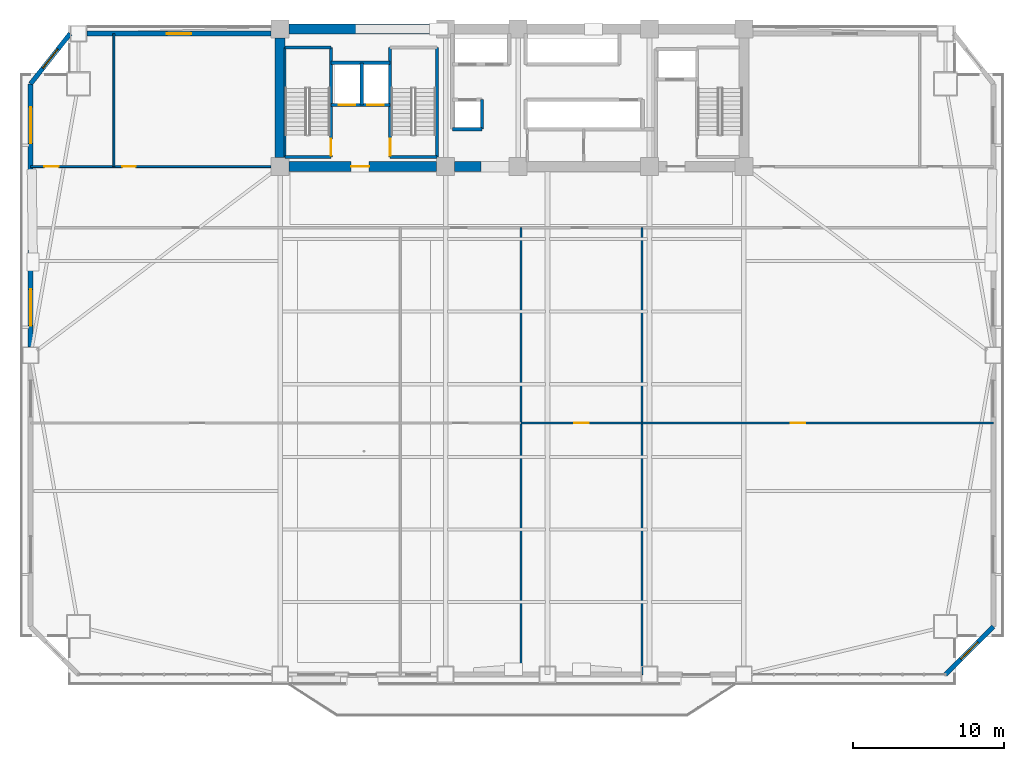
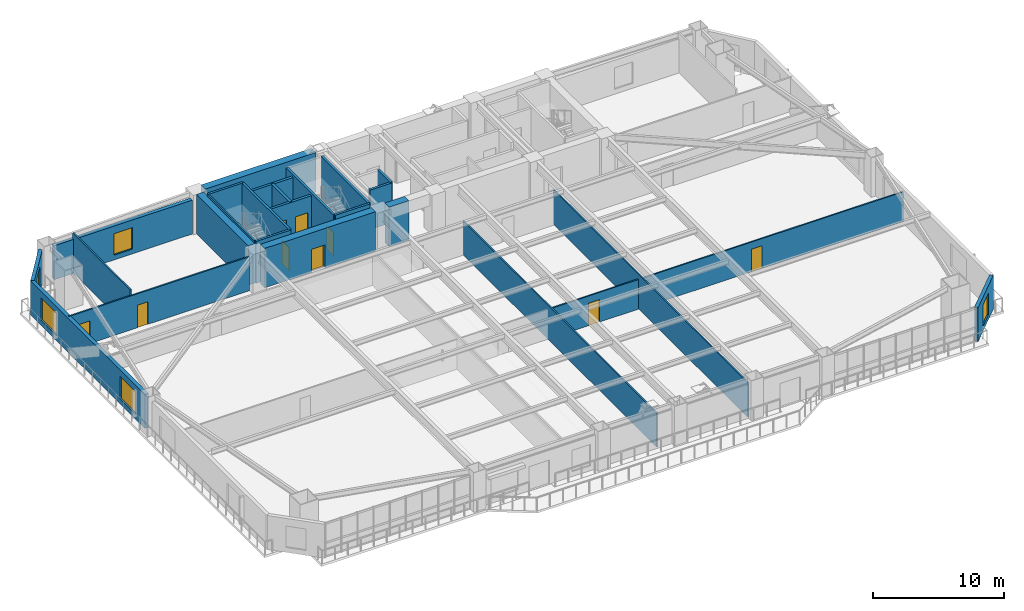
# One storey, part 9 of 17: 26 walls, 9 doors, 5 windows, 14 openings.
"""IFC4 building model written with IfcOpenShell, lengths in metres."""

import ifcopenshell
import ifcopenshell.guid

model = None  # the IFC model being written
_history = None  # IfcOwnerHistory: only IFC2X3 demands one
_inside = {}  # id of a spatial element -> (the spatial element, [elements in it])
_under = {}  # id of a project, library or spatial element -> (it, [spatial elements below it])
_declared = {}  # id of a project -> (the project, [libraries it declares])
_typed = {}  # id of a type object -> (the type object, [elements of that type])
_made_of = {}  # id of a material, layer set ... -> (it, [elements and type objects made of it])


def new_model(schema):
    """Start an empty IFC model of exactly this schema.

    Asked for "IFC4X3", IfcOpenShell would pick the latest addendum, in which some entities
    have other attributes; the version numbers below select the first issue.
    IFC2X3 requires an IfcOwnerHistory on every rooted entity: one is made here for all.
    """
    global model, _history
    if schema == "IFC4X3":
        model = ifcopenshell.file(schema_version=(4, 3, 0, 0))
    else:
        model = ifcopenshell.file(schema=schema)
    _inside.clear()
    _under.clear()
    _declared.clear()
    _typed.clear()
    _made_of.clear()
    _history = None
    if model.schema == "IFC2X3":
        org = make("IfcOrganization", Name="unknown")
        user = make(
            "IfcPersonAndOrganization",
            ThePerson=make("IfcPerson", FamilyName="unknown"),
            TheOrganization=org,
        )
        app = make(
            "IfcApplication",
            ApplicationDeveloper=org,
            Version="unknown",
            ApplicationFullName="unknown",
            ApplicationIdentifier="unknown",
        )
        _history = make(
            "IfcOwnerHistory",
            OwningUser=user,
            OwningApplication=app,
            ChangeAction="ADDED",
            CreationDate=0,
        )
    return model


def make(cls, **values):
    """One entity of the class cls with the attributes given. An attribute that is None is left unset."""
    return model.create_entity(
        cls, **{name: value for name, value in values.items() if value is not None}
    )


def rooted(cls, **values):
    """An entity with a GlobalId (a new one), such as an element, a storey or a relation."""
    return make(cls, GlobalId=ifcopenshell.guid.new(), OwnerHistory=_history, **values)


def si_unit(unit_type, name, prefix=None):
    """IfcSIUnit, for example si_unit("LENGTHUNIT", "METRE", prefix="MILLI")."""
    return make("IfcSIUnit", UnitType=unit_type, Prefix=prefix, Name=name)


def assignment(units):
    """IfcUnitAssignment: the units of a project."""
    return None if units is None else make("IfcUnitAssignment", Units=units)


def point(xyz):
    """IfcCartesianPoint."""
    return None if xyz is None else make("IfcCartesianPoint", Coordinates=xyz)


def direction(xyz):
    """IfcDirection."""
    return None if xyz is None else make("IfcDirection", DirectionRatios=xyz)


def frame(location, z_axis=None, x_axis=None):
    """IfcAxis2Placement3D, a coordinate frame: its origin and axes. An axis left out is left unset."""
    return make(
        "IfcAxis2Placement3D",
        Location=point(location),
        Axis=direction(z_axis),
        RefDirection=direction(x_axis),
    )


def frame_2d(location, x_axis=None):
    """IfcAxis2Placement2D, a coordinate frame in the plane: its origin and x axis."""
    return make(
        "IfcAxis2Placement2D", Location=point(location), RefDirection=direction(x_axis)
    )


def origin():
    """The frame at (0, 0, 0) with its axes left unset."""
    return frame((0.0, 0.0, 0.0))


def place(relative_to, where):
    """IfcLocalPlacement: puts the frame where relative to a parent placement (None: the world)."""
    return make(
        "IfcLocalPlacement", PlacementRelTo=relative_to, RelativePlacement=where
    )


def context(
    kind, dimensions, precision=None, world=None, true_north=None, identifier=None
):
    """IfcGeometricRepresentationContext, for example the 3D "Model" context."""
    return make(
        "IfcGeometricRepresentationContext",
        ContextIdentifier=identifier,
        ContextType=kind,
        CoordinateSpaceDimension=dimensions,
        Precision=precision,
        WorldCoordinateSystem=world,
        TrueNorth=true_north,
    )


def subcontext(parent, identifier, kind, view, scale=None):
    """IfcGeometricRepresentationSubContext, for example "Body" below "Model"."""
    return make(
        "IfcGeometricRepresentationSubContext",
        ContextIdentifier=identifier,
        ContextType=kind,
        ParentContext=parent,
        TargetScale=scale,
        TargetView=view,
    )


def project(units=None, contexts=None):
    """IfcProject with its units and contexts."""
    return rooted(
        "IfcProject",
        Name="project",
        RepresentationContexts=contexts,
        UnitsInContext=assignment(units),
    )


def spatial(cls, under=None, at=None, **own):
    """A site, building, storey or space (cls), placed at a placement, below another one or the project."""
    s = rooted(cls, ObjectPlacement=at, **own)
    if under is not None:
        _under.setdefault(under.id(), (under, []))[1].append(s)
    return s


def profile(cls, at=None, kind="AREA", **sizes):
    """A parametric profile (cls). Its sizes go by their IFC names, for example OverallWidth=200.0."""
    return make(cls, ProfileType=kind, Position=at, **sizes)


def rectangle(**sizes):
    """IfcRectangleProfileDef."""
    return profile("IfcRectangleProfileDef", **sizes)


def extrude(swept, where, along, depth):
    """IfcExtrudedAreaSolid: the profile swept, set in the frame where, extruded along a direction by depth."""
    return make(
        "IfcExtrudedAreaSolid",
        SweptArea=swept,
        Position=where,
        ExtrudedDirection=direction(along),
        Depth=depth,
    )


def shape(context_of_items, identifier, shape_type, items):
    """IfcShapeRepresentation: the items that make up one representation, for example the "Body"."""
    return make(
        "IfcShapeRepresentation",
        ContextOfItems=context_of_items,
        RepresentationIdentifier=identifier,
        RepresentationType=shape_type,
        Items=items,
    )


def source(mapping_origin, context_of_items, identifier, shape_type, items):
    """IfcRepresentationMap: a shape defined once, which mapped items show again and again."""
    return make(
        "IfcRepresentationMap",
        MappingOrigin=mapping_origin,
        MappedRepresentation=shape(context_of_items, identifier, shape_type, items),
    )


def transform(
    local_origin,
    x_axis=None,
    y_axis=None,
    z_axis=None,
    scale=None,
    scale2=None,
    scale3=None,
    uniform=True,
):
    """IfcCartesianTransformationOperator3D, or its non-uniform kind. x_axis, y_axis, z_axis: its Axis1, 2, 3."""
    if uniform:
        return make(
            "IfcCartesianTransformationOperator3D",
            Axis1=direction(x_axis),
            Axis2=direction(y_axis),
            LocalOrigin=point(local_origin),
            Scale=scale,
            Axis3=direction(z_axis),
        )
    return make(
        "IfcCartesianTransformationOperator3DnonUniform",
        Axis1=direction(x_axis),
        Axis2=direction(y_axis),
        LocalOrigin=point(local_origin),
        Scale=scale,
        Axis3=direction(z_axis),
        Scale2=scale2,
        Scale3=scale3,
    )


def mapped(mapping_source, mapping_target):
    """IfcMappedItem: shows the shape of a source again, moved by a transform."""
    return make(
        "IfcMappedItem", MappingSource=mapping_source, MappingTarget=mapping_target
    )


def material(Name=None, Category=None):
    """IfcMaterial."""
    return make("IfcMaterial", Name=Name, Category=Category)


def layer(
    of_material, thickness, ventilated=None, Name=None, Category=None, Priority=None
):
    """IfcMaterialLayer: one layer of a wall or slab, of a material (None: an air gap)."""
    return make(
        "IfcMaterialLayer",
        Material=of_material,
        LayerThickness=thickness,
        IsVentilated=ventilated,
        Name=Name,
        Category=Category,
        Priority=Priority,
    )


def layer_set(layers, Name=None):
    """IfcMaterialLayerSet."""
    return make("IfcMaterialLayerSet", MaterialLayers=layers, LayerSetName=Name)


def made_of(thing, what):
    """Note that an element or type object is made of a material, layer set ...; save() writes the relation."""
    if what is not None:
        _made_of.setdefault(what.id(), (what, []))[1].append(thing)
    return thing


def type_object(cls, material=None, **own):
    """A type object (cls), such as IfcWallType, which elements share."""
    return made_of(rooted(cls, **own), material)


def element(
    cls,
    number,
    at=None,
    inside=None,
    cuts=None,
    type_object=None,
    material=None,
    context=None,
    identifier="Body",
    shape_type=None,
    held_by="IfcProductDefinitionShape",
    body=None,
    shapes=None,
    **own,
):
    """One element of the class cls, such as IfcWall. Its Tag is "e" and its number.

    at: its placement. inside: the storey or other place that contains it. cuts: it is an
    opening in that element (IfcRelVoidsElement). A single representation is given by context,
    identifier, shape_type and body (its items); several are given by shapes. held_by: the class
    of the entity that holds the representations. save() writes the other relations.
    """
    e = rooted(cls, Tag="e%d" % number, ObjectPlacement=at, **own)
    if body is not None:
        shapes = [shape(context, identifier, shape_type, body)]
    if shapes is not None:
        e.Representation = make(held_by, Representations=shapes)
    if inside is not None:
        _inside.setdefault(inside.id(), (inside, []))[1].append(e)
    if cuts is not None:
        rooted(
            "IfcRelVoidsElement", RelatingBuildingElement=cuts, RelatedOpeningElement=e
        )
    if type_object is not None:
        _typed.setdefault(type_object.id(), (type_object, []))[1].append(e)
    return made_of(e, material)


def fill(opening, filler):
    """IfcRelFillsElement: the door or window that sits in an opening."""
    return rooted(
        "IfcRelFillsElement",
        RelatingOpeningElement=opening,
        RelatedBuildingElement=filler,
    )


def aggregate(whole, parts):
    """IfcRelAggregates: a whole, such as a stair, and the parts it consists of."""
    return rooted("IfcRelAggregates", RelatingObject=whole, RelatedObjects=parts)


def save(model, path):
    """Write the relations noted so far, then the file.

    IfcRelAggregates (storeys below a building ...), IfcRelContainedInSpatialStructure (elements
    in a storey), IfcRelDefinesByType, IfcRelAssociatesMaterial and IfcRelDeclares: one each for
    every whole, place, type object, material and project.
    """
    for whole, parts in _under.values():
        aggregate(whole, parts)
    for where, things in _inside.values():
        rooted(
            "IfcRelContainedInSpatialStructure",
            RelatedElements=things,
            RelatingStructure=where,
        )
    for kind, things in _typed.values():
        rooted("IfcRelDefinesByType", RelatedObjects=things, RelatingType=kind)
    for what, things in _made_of.values():
        rooted("IfcRelAssociatesMaterial", RelatedObjects=things, RelatingMaterial=what)
    for by, libraries in _declared.values():
        rooted("IfcRelDeclares", RelatingContext=by, RelatedDefinitions=libraries)
    model.write(path)


model = new_model("IFC4")

# Units and contexts
model_context = context("Model", 3, precision=1e-05, world=origin(), true_north=direction((0.0, 1.0)))
body_context = subcontext(model_context, "Body", "Model", "MODEL_VIEW")
ifc_project = project(units=[si_unit("LENGTHUNIT", "METRE"), si_unit("AREAUNIT", "SQUARE_METRE"), si_unit("VOLUMEUNIT", "CUBIC_METRE"), si_unit("PLANEANGLEUNIT", "RADIAN"), si_unit("MASSUNIT", "GRAM", prefix="KILO")], contexts=[model_context])

# Site, building, storey
site_placement = place(None, origin())
site = spatial("IfcSite", under=ifc_project, at=site_placement, CompositionType="ELEMENT")
building_placement = place(site_placement, origin())
building = spatial("IfcBuilding", under=site, at=building_placement, Name="Giltprow Tower", CompositionType="ELEMENT")
storey_placement = place(building_placement, frame((0.0, 0.0, 41.0)))
storey = spatial("IfcBuildingStorey", under=building, at=storey_placement, Name="L10", CompositionType="ELEMENT", Elevation=41.0)

# Wall, opening, window
ifc_material_1 = material(Name="Precast concrete C40", Category="concrete")
ifc_layer_1 = layer(ifc_material_1, 0.300048828125, Name="Precast concrete C40")
ifc_layer_set_1 = layer_set([ifc_layer_1], Name="Precast concrete C40")
wall_type_1 = type_object("IfcWallType", Name="EW-NOTCH-CHAMFER-300", PredefinedType="SOLIDWALL", material=ifc_layer_set_1)
wall_1_placement = place(storey_placement, frame((63.89111328125, 3.826904296875, 0.0), z_axis=(0.0, 0.0, 1.0), x_axis=(0.707079585295, 0.707133976032, 0.0)))
wall_1 = element("IfcWall", 1, at=wall_1_placement, inside=storey, type_object=wall_type_1, Name="L10 Corner Notch Wall SE", PredefinedType="SOLIDWALL", context=body_context, shape_type="SweptSolid", body=[
    extrude(rectangle(XDim=4.488525390625, YDim=0.300048828125, at=frame_2d((2.244140625, 0.0))), origin(), (0.0, 0.0, 1.0), 3.159912109375),
])
opening_1_placement = place(wall_1_placement, frame((1.444091796875, 0.0, 0.449951171875)))
opening_1 = element("IfcOpeningElement", 2, at=opening_1_placement, cuts=wall_1, Name="Opening WN17", PredefinedType="OPENING", context=body_context, shape_type="SweptSolid", body=[
    extrude(rectangle(XDim=1.60009765625, YDim=2.0, at=frame_2d((0.800048828125, 1.0))), frame((0.0, 0.159912109375, 0.0), z_axis=(0.0, -1.0, 0.0), x_axis=(1.0, 0.0, 0.0)), (0.0, 0.0, 1.0), 0.320068359375),
])
ifc_material_2 = material(Name="Insulated glass", Category="glass")
window_type_1 = type_object("IfcWindowType", Name="WN-COR-1600x2000", PartitioningType="SINGLE_PANEL", PredefinedType="WINDOW", material=ifc_material_2)
shared_shape_1 = source(origin(), body_context, "Body", "SweptSolid", [
    extrude(rectangle(XDim=1.60009765625, YDim=2.0, at=frame_2d((0.800048828125, 1.0))), frame((0.0, 0.030029296875, 0.0), z_axis=(0.0, -1.0, 0.0), x_axis=(1.0, 0.0, 0.0)), (0.0, 0.0, 1.0), 0.06005859375),
])
window_1_placement = place(opening_1_placement, origin())
window_1 = element("IfcWindow", 3, at=window_1_placement, inside=storey, type_object=window_type_1, Name="L10 Corner Notch Window SE", OverallHeight=2.0, OverallWidth=1.60009765625, PartitioningType="SINGLE_PANEL", PredefinedType="WINDOW", context=body_context, shape_type="MappedRepresentation", body=[
    mapped(shared_shape_1, transform((0.0, 0.0, 0.0), x_axis=(1.0, 0.0, 0.0), y_axis=(0.0, 1.0, 0.0), z_axis=(0.0, 0.0, 1.0), scale=1.0)),
])
fill(opening_1, window_1)

wall_2_placement = place(storey_placement, frame((5.958984375, 46.25, 0.0), z_axis=(0.0, 0.0, 1.0), x_axis=(-0.619619988795, -0.784901948963, 0.0)))
wall_2 = element("IfcWall", 4, at=wall_2_placement, inside=storey, type_object=wall_type_1, Name="L10 Corner Notch Wall NW", PredefinedType="SOLIDWALL", context=body_context, shape_type="SweptSolid", body=[
    extrude(rectangle(XDim=4.23486328125, YDim=0.300048828125, at=frame_2d((2.117431640625, 0.0))), origin(), (0.0, 0.0, 1.0), 3.159912109375),
])
opening_2_placement = place(wall_2_placement, frame((1.31689453125, 0.0, 0.449951171875)))
opening_2 = element("IfcOpeningElement", 5, at=opening_2_placement, cuts=wall_2, Name="Opening WN17", PredefinedType="OPENING", context=body_context, shape_type="SweptSolid", body=[
    extrude(rectangle(XDim=1.60009765625, YDim=2.0, at=frame_2d((0.800048828125, 1.0))), frame((0.0, 0.159912109375, 0.0), z_axis=(0.0, -1.0, 0.0), x_axis=(1.0, 0.0, 0.0)), (0.0, 0.0, 1.0), 0.320068359375),
])
window_2_placement = place(opening_2_placement, origin())
window_2 = element("IfcWindow", 6, at=window_2_placement, inside=storey, type_object=window_type_1, Name="L10 Corner Notch Window NW", OverallHeight=2.0, OverallWidth=1.60009765625, PartitioningType="SINGLE_PANEL", PredefinedType="WINDOW", context=body_context, shape_type="MappedRepresentation", body=[
    mapped(shared_shape_1, transform((0.0, 0.0, 0.0), x_axis=(1.0, 0.0, 0.0), y_axis=(0.0, 1.0, 0.0), z_axis=(0.0, 0.0, 1.0), scale=1.0)),
])
fill(opening_2, window_2)

# Wall, openings, windows
ifc_layer_2 = layer(ifc_material_1, 0.320068359375, Name="Precast concrete C40")
ifc_layer_set_2 = layer_set([ifc_layer_2], Name="Precast concrete C40")
wall_type_2 = type_object("IfcWallType", Name="EW-TOW-STONE-320", PredefinedType="SOLIDWALL", material=ifc_layer_set_2)
wall_3_placement = place(storey_placement, frame((3.3349609375, 25.512939453125, 0.0), z_axis=(0.0, 0.0, 1.0), x_axis=(0.0, 1.0, 0.0)))
wall_3 = element("IfcWall", 7, at=wall_3_placement, inside=storey, type_object=wall_type_2, Name="L10 W Wing Masonry Wall 2", PredefinedType="SOLIDWALL", context=body_context, shape_type="SweptSolid", body=[
    extrude(rectangle(XDim=17.4130859375, YDim=0.320068359375, at=frame_2d((8.70654296875, 0.0))), origin(), (0.0, 0.0, 1.0), 3.159912109375),
])
opening_3_placement = place(wall_3_placement, frame((1.406982421875, 0.0, 0.449951171875)))
opening_3 = element("IfcOpeningElement", 8, at=opening_3_placement, cuts=wall_3, Name="Opening WN29", PredefinedType="OPENING", context=body_context, shape_type="SweptSolid", body=[
    extrude(rectangle(XDim=2.39990234375, YDim=2.10009765625, at=frame_2d((1.199951171875, 1.050048828125))), frame((0.0, 0.169921875, 0.0), z_axis=(0.0, -1.0, 0.0), x_axis=(1.0, 0.0, 0.0)), (0.0, 0.0, 1.0), 0.340087890625),
])
opening_4_placement = place(wall_3_placement, frame((13.462890625, 0.0, 0.449951171875)))
opening_4 = element("IfcOpeningElement", 9, at=opening_4_placement, cuts=wall_3, Name="Opening WN29", PredefinedType="OPENING", context=body_context, shape_type="SweptSolid", body=[
    extrude(rectangle(XDim=2.39990234375, YDim=2.10009765625, at=frame_2d((1.199951171875, 1.050048828125))), frame((0.0, 0.169921875, 0.0), z_axis=(0.0, -1.0, 0.0), x_axis=(1.0, 0.0, 0.0)), (0.0, 0.0, 1.0), 0.340087890625),
])
window_type_2 = type_object("IfcWindowType", Name="WN-OFF-2400x2100", PartitioningType="DOUBLE_PANEL_VERTICAL", PredefinedType="WINDOW", material=ifc_material_2)
shared_shape_2 = source(origin(), body_context, "Body", "SweptSolid", [
    extrude(rectangle(XDim=2.39990234375, YDim=2.10009765625, at=frame_2d((1.199951171875, 1.050048828125))), frame((0.0, 0.030029296875, 0.0), z_axis=(0.0, -1.0, 0.0), x_axis=(1.0, 0.0, 0.0)), (0.0, 0.0, 1.0), 0.06005859375),
])
window_3_placement = place(opening_3_placement, origin())
window_3 = element("IfcWindow", 10, at=window_3_placement, inside=storey, type_object=window_type_2, Name="L10 W Wing Window 2-1", OverallHeight=2.10009765625, OverallWidth=2.39990234375, PartitioningType="SINGLE_PANEL", PredefinedType="WINDOW", context=body_context, shape_type="MappedRepresentation", body=[
    mapped(shared_shape_2, transform((0.0, 0.0, 0.0), x_axis=(1.0, 0.0, 0.0), y_axis=(0.0, 1.0, 0.0), z_axis=(0.0, 0.0, 1.0), scale=1.0)),
])
fill(opening_3, window_3)
window_4_placement = place(opening_4_placement, origin())
window_4 = element("IfcWindow", 11, at=window_4_placement, inside=storey, type_object=window_type_2, Name="L10 W Wing Window 2-2", OverallHeight=2.10009765625, OverallWidth=2.39990234375, PartitioningType="SINGLE_PANEL", PredefinedType="WINDOW", context=body_context, shape_type="MappedRepresentation", body=[
    mapped(shared_shape_2, transform((0.0, 0.0, 0.0), x_axis=(1.0, 0.0, 0.0), y_axis=(0.0, 1.0, 0.0), z_axis=(0.0, 0.0, 1.0), scale=1.0)),
])
fill(opening_4, window_4)

# Wall, opening, window
wall_4_placement = place(storey_placement, frame((7.05908203125, 46.25, 0.0), z_axis=(0.0, 0.0, 1.0), x_axis=(1.0, 0.0, 0.0)))
wall_4 = element("IfcWall", 12, at=wall_4_placement, inside=storey, type_object=wall_type_2, Name="L10 North-West Wing Wall", PredefinedType="SOLIDWALL", context=body_context, shape_type="SweptSolid", body=[
    extrude(rectangle(XDim=12.19091796875, YDim=0.320068359375, at=frame_2d((6.095458984375, 0.0))), origin(), (0.0, 0.0, 1.0), 3.159912109375),
])
opening_5_placement = place(wall_4_placement, frame((5.294921875, 0.0, 0.449951171875)))
opening_5 = element("IfcOpeningElement", 13, at=opening_5_placement, cuts=wall_4, Name="Opening WN17", PredefinedType="OPENING", context=body_context, shape_type="SweptSolid", body=[
    extrude(rectangle(XDim=1.60009765625, YDim=2.0, at=frame_2d((0.800048828125, 1.0))), frame((0.0, 0.169921875, 0.0), z_axis=(0.0, -1.0, 0.0), x_axis=(1.0, 0.0, 0.0)), (0.0, 0.0, 1.0), 0.340087890625),
])
window_5_placement = place(opening_5_placement, origin())
window_5 = element("IfcWindow", 14, at=window_5_placement, inside=storey, type_object=window_type_1, Name="L10 North-West Window", OverallHeight=2.0, OverallWidth=1.60009765625, PartitioningType="SINGLE_PANEL", PredefinedType="WINDOW", context=body_context, shape_type="MappedRepresentation", body=[
    mapped(shared_shape_1, transform((0.0, 0.0, 0.0), x_axis=(1.0, 0.0, 0.0), y_axis=(0.0, 1.0, 0.0), z_axis=(0.0, 0.0, 1.0), scale=1.0)),
])
fill(opening_5, window_5)

# Wall
ifc_material_3 = material(Name="Gypsum stud partition", Category="gypsum")
ifc_layer_3 = layer(ifc_material_3, 0.1201171875, Name="Gypsum stud partition")
ifc_layer_set_3 = layer_set([ifc_layer_3], Name="Gypsum stud partition")
wall_type_3 = type_object("IfcWallType", Name="IW-ROOM-120", PredefinedType="PARTITIONING", material=ifc_layer_set_3)
wall_5_placement = place(storey_placement, frame((35.800048828125, 3.826904296875, 0.0), z_axis=(0.0, 0.0, 1.0), x_axis=(0.0, 1.0, 0.0)))
element("IfcWall", 15, at=wall_5_placement, inside=storey, type_object=wall_type_3, Name="L10 Office Partition 2", PredefinedType="PARTITIONING", context=body_context, shape_type="SweptSolid", body=[
    extrude(rectangle(XDim=29.572998046875, YDim=0.1201171875, at=frame_2d((14.78662109375, 0.0))), origin(), (0.0, 0.0, 1.0), 3.1650390625),
])

# Wall, opening, door
wall_6_placement = place(storey_placement, frame((35.800048828125, 20.47607421875, 0.0), z_axis=(0.0, 0.0, 1.0), x_axis=(1.0, 0.0, 0.0)))
wall_6 = element("IfcWall", 16, at=wall_6_placement, inside=storey, type_object=wall_type_3, Name="L10 Office Mid Wall 3", PredefinedType="PARTITIONING", context=body_context, shape_type="SweptSolid", body=[
    extrude(rectangle(XDim=8.0, YDim=0.1201171875, at=frame_2d((4.0, 0.0))), origin(), (0.0, 0.0, 1.0), 2.764892578125),
])
opening_6_placement = place(wall_6_placement, frame((3.52294921875, 0.0, 0.0)))
opening_6 = element("IfcOpeningElement", 17, at=opening_6_placement, cuts=wall_6, Name="Opening ID11", PredefinedType="OPENING", context=body_context, shape_type="SweptSolid", body=[
    extrude(rectangle(XDim=0.949951171875, YDim=2.10009765625, at=frame_2d((0.47509765625, 1.050048828125))), frame((0.0, 0.070068359375, 0.0), z_axis=(0.0, -1.0, 0.0), x_axis=(1.0, 0.0, 0.0)), (0.0, 0.0, 1.0), 0.14013671875),
])
ifc_material_4 = material(Name="Engineered timber", Category="wood")
door_type_1 = type_object("IfcDoorType", Name="DR-ROOM-950", OperationType="SINGLE_SWING_RIGHT", PredefinedType="DOOR", material=ifc_material_4)
shared_shape_3 = source(origin(), body_context, "Body", "SweptSolid", [
    extrude(rectangle(XDim=0.949951171875, YDim=2.10009765625, at=frame_2d((0.47509765625, 1.050048828125))), frame((0.0, 0.02490234375, 0.0), z_axis=(0.0, -1.0, 0.0), x_axis=(1.0, 0.0, 0.0)), (0.0, 0.0, 1.0), 0.050048828125),
])
door_1_placement = place(opening_6_placement, origin())
door_1 = element("IfcDoor", 18, at=door_1_placement, inside=storey, type_object=door_type_1, Name="L10 Document Deeds Store 3 Inner Door", OperationType="SINGLE_SWING_LEFT", OverallHeight=2.10009765625, OverallWidth=0.949951171875, PredefinedType="DOOR", context=body_context, shape_type="MappedRepresentation", body=[
    mapped(shared_shape_3, transform((0.0, 0.0, 0.0), x_axis=(1.0, 0.0, 0.0), y_axis=(0.0, 1.0, 0.0), z_axis=(0.0, 0.0, 1.0), scale=1.0)),
])
fill(opening_6, door_1)

# Wall
wall_7_placement = place(storey_placement, frame((43.800048828125, 3.826904296875, 0.0), z_axis=(0.0, 0.0, 1.0), x_axis=(0.0, 1.0, 0.0)))
element("IfcWall", 19, at=wall_7_placement, inside=storey, type_object=wall_type_3, Name="L10 Office Partition 3", PredefinedType="PARTITIONING", context=body_context, shape_type="SweptSolid", body=[
    extrude(rectangle(XDim=29.572998046875, YDim=0.1201171875, at=frame_2d((14.78662109375, 0.0))), origin(), (0.0, 0.0, 1.0), 3.215087890625),
])

# Wall, opening, door
wall_8_placement = place(storey_placement, frame((43.800048828125, 20.47607421875, 0.0), z_axis=(0.0, 0.0, 1.0), x_axis=(1.0, 0.0, 0.0)))
wall_8 = element("IfcWall", 20, at=wall_8_placement, inside=storey, type_object=wall_type_3, Name="L10 Office Mid Wall 4", PredefinedType="PARTITIONING", context=body_context, shape_type="SweptSolid", body=[
    extrude(rectangle(XDim=23.264892578125, YDim=0.1201171875, at=frame_2d((11.63232421875, 0.0))), origin(), (0.0, 0.0, 1.0), 2.764892578125),
])
opening_7_placement = place(wall_8_placement, frame((9.85009765625, 0.0, 0.0)))
opening_7 = element("IfcOpeningElement", 21, at=opening_7_placement, cuts=wall_8, Name="Opening ID11", PredefinedType="OPENING", context=body_context, shape_type="SweptSolid", body=[
    extrude(rectangle(XDim=0.949951171875, YDim=2.10009765625, at=frame_2d((0.47509765625, 1.050048828125))), frame((0.0, 0.070068359375, 0.0), z_axis=(0.0, -1.0, 0.0), x_axis=(1.0, 0.0, 0.0)), (0.0, 0.0, 1.0), 0.14013671875),
])
door_2_placement = place(opening_7_placement, origin())
door_2 = element("IfcDoor", 22, at=door_2_placement, inside=storey, type_object=door_type_1, Name="L10 Evidence Locker Store 4 Inner Door", OperationType="SINGLE_SWING_LEFT", OverallHeight=2.10009765625, OverallWidth=0.949951171875, PredefinedType="DOOR", context=body_context, shape_type="MappedRepresentation", body=[
    mapped(shared_shape_3, transform((0.0, 0.0, 0.0), x_axis=(1.0, 0.0, 0.0), y_axis=(0.0, 1.0, 0.0), z_axis=(0.0, 0.0, 1.0), scale=1.0)),
])
fill(opening_7, door_2)

# Wall, openings, doors
ifc_material_5 = material(Name="Concrete C40", Category="concrete")
ifc_layer_4 = layer(ifc_material_5, 0.219970703125, Name="Concrete C40")
ifc_layer_set_4 = layer_set([ifc_layer_4], Name="Concrete C40")
wall_type_4 = type_object("IfcWallType", Name="IW-SHAFT-220", PredefinedType="SOLIDWALL", material=ifc_layer_set_4)
wall_9_placement = place(storey_placement, frame((23.219970703125, 41.52001953125, 0.0), z_axis=(0.0, 0.0, 1.0), x_axis=(1.0, 0.0, 0.0)))
wall_9 = element("IfcWall", 23, at=wall_9_placement, inside=storey, type_object=wall_type_4, Name="L10 FFL1 and Service Lift Front Wall", PredefinedType="SOLIDWALL", context=body_context, shape_type="SweptSolid", body=[
    extrude(rectangle(XDim=3.919921875, YDim=0.219970703125, at=frame_2d((1.9599609375, 0.0))), origin(), (0.0, 0.0, 1.0), 3.679931640625),
])
opening_8_placement = place(wall_9_placement, frame((0.5, 0.0, 0.0)))
opening_8 = element("IfcOpeningElement", 24, at=opening_8_placement, cuts=wall_9, Name="Opening LD-11", PredefinedType="OPENING", context=body_context, shape_type="SweptSolid", body=[
    extrude(rectangle(XDim=1.10009765625, YDim=2.199951171875, at=frame_2d((0.550048828125, 1.10009765625))), frame((0.0, 0.119873046875, 0.0), z_axis=(0.0, -1.0, 0.0), x_axis=(1.0, 0.0, 0.0)), (0.0, 0.0, 1.0), 0.239990234375),
])
opening_9_placement = place(wall_9_placement, frame((2.39990234375, 0.0, 0.0)))
opening_9 = element("IfcOpeningElement", 25, at=opening_9_placement, cuts=wall_9, Name="Opening LD-11", PredefinedType="OPENING", context=body_context, shape_type="SweptSolid", body=[
    extrude(rectangle(XDim=1.10009765625, YDim=2.199951171875, at=frame_2d((0.550048828125, 1.10009765625))), frame((0.0, 0.119873046875, 0.0), z_axis=(0.0, -1.0, 0.0), x_axis=(1.0, 0.0, 0.0)), (0.0, 0.0, 1.0), 0.239990234375),
])
ifc_material_6 = material(Name="Stainless steel", Category="steel")
door_type_2 = type_object("IfcDoorType", Name="DR-LIFT-LD1100", OperationType="SLIDING_TO_LEFT", PredefinedType="DOOR", material=ifc_material_6)
shared_shape_4 = source(origin(), body_context, "Body", "SweptSolid", [
    extrude(rectangle(XDim=1.10009765625, YDim=2.199951171875, at=frame_2d((0.550048828125, 1.10009765625))), frame((0.0, 0.02490234375, 0.0), z_axis=(0.0, -1.0, 0.0), x_axis=(1.0, 0.0, 0.0)), (0.0, 0.0, 1.0), 0.050048828125),
])
door_3_placement = place(opening_8_placement, origin())
door_3 = element("IfcDoor", 26, at=door_3_placement, inside=storey, type_object=door_type_2, Name="L10 FFL1 Landing Door", OperationType="SLIDING_TO_LEFT", OverallHeight=2.199951171875, OverallWidth=1.10009765625, PredefinedType="DOOR", context=body_context, shape_type="MappedRepresentation", body=[
    mapped(shared_shape_4, transform((0.0, 0.0, 0.0), x_axis=(1.0, 0.0, 0.0), y_axis=(0.0, 1.0, 0.0), z_axis=(0.0, 0.0, 1.0), scale=1.0)),
])
fill(opening_8, door_3)
door_4_placement = place(opening_9_placement, origin())
door_4 = element("IfcDoor", 27, at=door_4_placement, inside=storey, type_object=door_type_2, Name="L10 SVL1 Landing Door", OperationType="SLIDING_TO_LEFT", OverallHeight=2.199951171875, OverallWidth=1.10009765625, PredefinedType="DOOR", context=body_context, shape_type="MappedRepresentation", body=[
    mapped(shared_shape_4, transform((0.0, 0.0, 0.0), x_axis=(1.0, 0.0, 0.0), y_axis=(0.0, 1.0, 0.0), z_axis=(0.0, 0.0, 1.0), scale=1.0)),
])
fill(opening_9, door_4)

# Walls
wall_10_placement = place(storey_placement, frame((25.260009765625, 41.52001953125, 0.0), z_axis=(0.0, 0.0, 1.0), x_axis=(0.0, 1.0, 0.0)))
element("IfcWall", 28, at=wall_10_placement, inside=storey, type_object=wall_type_4, Name="L10 FFL1-SVL1 Shaft Divider", PredefinedType="SOLIDWALL", context=body_context, shape_type="SweptSolid", body=[
    extrude(rectangle(XDim=2.800048828125, YDim=0.219970703125, at=frame_2d((1.39990234375, 0.0))), origin(), (0.0, 0.0, 1.0), 3.679931640625),
])
wall_11_placement = place(storey_placement, frame((23.219970703125, 44.320068359375, 0.0), z_axis=(0.0, 0.0, 1.0), x_axis=(1.0, 0.0, 0.0)))
element("IfcWall", 29, at=wall_11_placement, inside=storey, type_object=wall_type_4, Name="L10 FFL1-SVL1 Back Shaft Wall", PredefinedType="SOLIDWALL", context=body_context, shape_type="SweptSolid", body=[
    extrude(rectangle(XDim=3.919921875, YDim=0.219970703125, at=frame_2d((1.9599609375, 0.0))), origin(), (0.0, 0.0, 1.0), 3.679931640625),
])
wall_12_placement = place(storey_placement, frame((31.25, 39.919921875, 0.0), z_axis=(0.0, 0.0, 1.0), x_axis=(1.0, 0.0, 0.0)))
element("IfcWall", 30, at=wall_12_placement, inside=storey, type_object=wall_type_4, Name="L10 Low-Rise South Lift Back Wall", PredefinedType="SOLIDWALL", context=body_context, shape_type="SweptSolid", body=[
    extrude(rectangle(XDim=1.969970703125, YDim=0.219970703125, at=frame_2d((0.98486328125, 0.0))), origin(), (0.0, 0.0, 1.0), 3.679931640625),
])
wall_13_placement = place(storey_placement, frame((33.219970703125, 39.919921875, 0.0), z_axis=(0.0, 0.0, 1.0), x_axis=(0.0, 1.0, 0.0)))
element("IfcWall", 31, at=wall_13_placement, inside=storey, type_object=wall_type_4, Name="L10 Low-Rise South Lift East Closure", PredefinedType="SOLIDWALL", context=body_context, shape_type="SweptSolid", body=[
    extrude(rectangle(XDim=1.9599609375, YDim=0.219970703125, at=frame_2d((0.97998046875, 0.0))), origin(), (0.0, 0.0, 1.0), 3.679931640625),
])
ifc_material_7 = material(Name="Concrete C45", Category="concrete")
ifc_layer_5 = layer(ifc_material_7, 0.139892578125, Name="Concrete C45")
ifc_layer_set_5 = layer_set([ifc_layer_5], Name="Concrete C45")
wall_type_5 = type_object("IfcWallType", Name="IW-STAIR-140", PredefinedType="SOLIDWALL", material=ifc_layer_set_5)
wall_14_placement = place(storey_placement, frame((20.169921875, 38.070068359375, 0.0), z_axis=(0.0, 0.0, 1.0), x_axis=(0.0, 1.0, 0.0)))
element("IfcWall", 32, at=wall_14_placement, inside=storey, type_object=wall_type_5, Name="L10 Stair ST-1 West Bearing Wall", PredefinedType="SOLIDWALL", context=body_context, shape_type="SweptSolid", body=[
    extrude(rectangle(XDim=7.25, YDim=0.139892578125, at=frame_2d((3.625, 0.0))), origin(), (0.0, 0.0, 1.0), 3.89990234375),
])

# Wall, opening, door
ifc_layer_6 = layer(ifc_material_5, 0.199951171875, Name="Concrete C40")
ifc_layer_set_6 = layer_set([ifc_layer_6], Name="Concrete C40")
wall_type_6 = type_object("IfcWallType", Name="IW-STAIR-200", PredefinedType="SOLIDWALL", material=ifc_layer_set_6)
wall_15_placement = place(storey_placement, frame((23.219970703125, 38.070068359375, 0.0), z_axis=(0.0, 0.0, 1.0), x_axis=(0.0, 1.0, 0.0)))
wall_15 = element("IfcWall", 33, at=wall_15_placement, inside=storey, type_object=wall_type_6, Name="L10 Stair ST-1 East Bearing Wall", PredefinedType="SOLIDWALL", context=body_context, shape_type="SweptSolid", body=[
    extrude(rectangle(XDim=7.25, YDim=0.199951171875, at=frame_2d((3.625, 0.0))), origin(), (0.0, 0.0, 1.0), 3.89990234375),
])
opening_10_placement = place(wall_15_placement, frame((0.110107421875, 0.0, 0.0)))
opening_10 = element("IfcOpeningElement", 34, at=opening_10_placement, cuts=wall_15, Name="Opening ID33", PredefinedType="OPENING", context=body_context, shape_type="SweptSolid", body=[
    extrude(rectangle(XDim=1.10009765625, YDim=2.14990234375, at=frame_2d((0.550048828125, 1.074951171875))), frame((0.0, 0.10986328125, 0.0), z_axis=(0.0, -1.0, 0.0), x_axis=(1.0, 0.0, 0.0)), (0.0, 0.0, 1.0), 0.219970703125),
])
ifc_material_8 = material(Name="Steel fire leaf", Category="steel")
door_type_3 = type_object("IfcDoorType", Name="DR-STAIR-1100", OperationType="SINGLE_SWING_LEFT", PredefinedType="DOOR", material=ifc_material_8)
shared_shape_5 = source(origin(), body_context, "Body", "SweptSolid", [
    extrude(rectangle(XDim=1.10009765625, YDim=2.14990234375, at=frame_2d((0.550048828125, 1.074951171875))), frame((0.0, 0.02490234375, 0.0), z_axis=(0.0, -1.0, 0.0), x_axis=(1.0, 0.0, 0.0)), (0.0, 0.0, 1.0), 0.050048828125),
])
door_5_placement = place(opening_10_placement, origin())
door_5 = element("IfcDoor", 35, at=door_5_placement, inside=storey, type_object=door_type_3, Name="L10 Stair ST-1 Fire Door", OperationType="SINGLE_SWING_LEFT", OverallHeight=2.14990234375, OverallWidth=1.10009765625, PredefinedType="DOOR", context=body_context, shape_type="MappedRepresentation", body=[
    mapped(shared_shape_5, transform((0.0, 0.0, 0.0), x_axis=(1.0, 0.0, 0.0), y_axis=(0.0, 1.0, 0.0), z_axis=(0.0, 0.0, 1.0), scale=1.0)),
])
fill(opening_10, door_5)

# Walls
for number, where, z_axis, x_axis, name in (
    (36, (20.169921875, 45.320068359375, 0.0), (0.0, 0.0, 1.0), (1.0, 0.0, 0.0), "L10 Stair ST-1 North Bearing Wall"),
    (37, (20.169921875, 38.070068359375, 0.0), (0.0, 0.0, 1.0), (1.0, 0.0, 0.0), "L10 Stair ST-1 South Bearing Wall"),
):
    element("IfcWall", number, at=place(storey_placement, frame(where, z_axis=z_axis, x_axis=x_axis)), inside=storey, type_object=wall_type_6, Name=name, PredefinedType="SOLIDWALL", context=body_context, shape_type="SweptSolid", body=[
        extrude(rectangle(XDim=3.050048828125, YDim=0.199951171875, at=frame_2d((1.52490234375, 0.0))), origin(), (0.0, 0.0, 1.0), 3.89990234375),
    ])

# Wall, opening, door
wall_16_placement = place(storey_placement, frame((27.139892578125, 38.070068359375, 0.0), z_axis=(0.0, 0.0, 1.0), x_axis=(0.0, 1.0, 0.0)))
wall_16 = element("IfcWall", 38, at=wall_16_placement, inside=storey, type_object=wall_type_6, Name="L10 Stair ST-2 West Bearing Wall", PredefinedType="SOLIDWALL", context=body_context, shape_type="SweptSolid", body=[
    extrude(rectangle(XDim=7.25, YDim=0.199951171875, at=frame_2d((3.625, 0.0))), origin(), (0.0, 0.0, 1.0), 3.89990234375),
])
opening_11_placement = place(wall_16_placement, frame((0.110107421875, 0.0, 0.0)))
opening_11 = element("IfcOpeningElement", 39, at=opening_11_placement, cuts=wall_16, Name="Opening ID33", PredefinedType="OPENING", context=body_context, shape_type="SweptSolid", body=[
    extrude(rectangle(XDim=1.10009765625, YDim=2.14990234375, at=frame_2d((0.550048828125, 1.074951171875))), frame((0.0, 0.10986328125, 0.0), z_axis=(0.0, -1.0, 0.0), x_axis=(1.0, 0.0, 0.0)), (0.0, 0.0, 1.0), 0.219970703125),
])
door_6_placement = place(opening_11_placement, origin())
door_6 = element("IfcDoor", 40, at=door_6_placement, inside=storey, type_object=door_type_3, Name="L10 Stair ST-2 Fire Door", OperationType="SINGLE_SWING_RIGHT", OverallHeight=2.14990234375, OverallWidth=1.10009765625, PredefinedType="DOOR", context=body_context, shape_type="MappedRepresentation", body=[
    mapped(shared_shape_5, transform((0.0, 0.0, 0.0), x_axis=(1.0, 0.0, 0.0), y_axis=(0.0, 1.0, 0.0), z_axis=(0.0, 0.0, 1.0), scale=1.0)),
])
fill(opening_11, door_6)

# Walls
wall_17_placement = place(storey_placement, frame((30.219970703125, 38.070068359375, 0.0), z_axis=(0.0, 0.0, 1.0), x_axis=(0.0, 1.0, 0.0)))
element("IfcWall", 41, at=wall_17_placement, inside=storey, type_object=wall_type_6, Name="L10 Stair ST-2 East Bearing Wall", PredefinedType="SOLIDWALL", context=body_context, shape_type="SweptSolid", body=[
    extrude(rectangle(XDim=7.25, YDim=0.199951171875, at=frame_2d((3.625, 0.0))), origin(), (0.0, 0.0, 1.0), 3.89990234375),
])
wall_18_placement = place(storey_placement, frame((27.139892578125, 38.070068359375, 0.0), z_axis=(0.0, 0.0, 1.0), x_axis=(1.0, 0.0, 0.0)))
element("IfcWall", 42, at=wall_18_placement, inside=storey, type_object=wall_type_6, Name="L10 Stair ST-2 South Bearing Wall", PredefinedType="SOLIDWALL", context=body_context, shape_type="SweptSolid", body=[
    extrude(rectangle(XDim=3.080078125, YDim=0.199951171875, at=frame_2d((1.5400390625, 0.0))), origin(), (0.0, 0.0, 1.0), 3.89990234375),
])

# Wall, openings, doors
ifc_material_9 = material(Name="Concrete C30", Category="concrete")
ifc_layer_7 = layer(ifc_material_9, 0.1298828125, Name="Concrete C30")
ifc_layer_set_7 = layer_set([ifc_layer_7], Name="Concrete C30")
wall_type_7 = type_object("IfcWallType", Name="IW-WET-130", PredefinedType="PARTITIONING", material=ifc_layer_set_7)
wall_19_placement = place(storey_placement, frame((3.3349609375, 37.449951171875, 0.0), z_axis=(0.0, 0.0, 1.0), x_axis=(1.0, 0.0, 0.0)))
wall_19 = element("IfcWall", 43, at=wall_19_placement, inside=storey, type_object=wall_type_7, Name="L10 NW Wing South Wall", PredefinedType="PARTITIONING", context=body_context, shape_type="SweptSolid", body=[
    extrude(rectangle(XDim=15.9150390625, YDim=0.1298828125, at=frame_2d((7.95751953125, 0.0))), origin(), (0.0, 0.0, 1.0), 3.1650390625),
])
opening_12_placement = place(wall_19_placement, frame((0.89990234375, 0.0, 0.0)))
opening_12 = element("IfcOpeningElement", 44, at=opening_12_placement, cuts=wall_19, Name="Opening ID11", PredefinedType="OPENING", context=body_context, shape_type="SweptSolid", body=[
    extrude(rectangle(XDim=0.949951171875, YDim=2.10009765625, at=frame_2d((0.47509765625, 1.050048828125))), frame((0.0, 0.074951171875, 0.0), z_axis=(0.0, -1.0, 0.0), x_axis=(1.0, 0.0, 0.0)), (0.0, 0.0, 1.0), 0.14990234375),
])
opening_13_placement = place(wall_19_placement, frame((6.05908203125, 0.0, 0.0)))
opening_13 = element("IfcOpeningElement", 45, at=opening_13_placement, cuts=wall_19, Name="Opening ID15", PredefinedType="OPENING", context=body_context, shape_type="SweptSolid", body=[
    extrude(rectangle(XDim=0.89990234375, YDim=2.10009765625, at=frame_2d((0.449951171875, 1.050048828125))), frame((0.0, 0.074951171875, 0.0), z_axis=(0.0, -1.0, 0.0), x_axis=(1.0, 0.0, 0.0)), (0.0, 0.0, 1.0), 0.14990234375),
])
door_type_4 = type_object("IfcDoorType", Name="DR-WC-900", OperationType="SINGLE_SWING_LEFT", PredefinedType="DOOR", material=ifc_material_4)
shared_shape_6 = source(origin(), body_context, "Body", "SweptSolid", [
    extrude(rectangle(XDim=0.89990234375, YDim=2.10009765625, at=frame_2d((0.449951171875, 1.050048828125))), frame((0.0, 0.02490234375, 0.0), z_axis=(0.0, -1.0, 0.0), x_axis=(1.0, 0.0, 0.0)), (0.0, 0.0, 1.0), 0.050048828125),
])
door_7_placement = place(opening_13_placement, origin())
door_7 = element("IfcDoor", 46, at=door_7_placement, inside=storey, type_object=door_type_4, Name="L10 NW Washroom Door", OperationType="SINGLE_SWING_LEFT", OverallHeight=2.10009765625, OverallWidth=0.89990234375, PredefinedType="DOOR", context=body_context, shape_type="MappedRepresentation", body=[
    mapped(shared_shape_6, transform((0.0, 0.0, 0.0), x_axis=(1.0, 0.0, 0.0), y_axis=(0.0, 1.0, 0.0), z_axis=(0.0, 0.0, 1.0), scale=1.0)),
])
fill(opening_13, door_7)
door_8_placement = place(opening_12_placement, origin())
door_8 = element("IfcDoor", 47, at=door_8_placement, inside=storey, type_object=door_type_1, Name="L10 West Tenant Office West Door", OperationType="SINGLE_SWING_RIGHT", OverallHeight=2.10009765625, OverallWidth=0.949951171875, PredefinedType="DOOR", context=body_context, shape_type="MappedRepresentation", body=[
    mapped(shared_shape_3, transform((0.0, 0.0, 0.0), x_axis=(1.0, 0.0, 0.0), y_axis=(0.0, 1.0, 0.0), z_axis=(0.0, 0.0, 1.0), scale=1.0)),
])
fill(opening_12, door_8)

# Walls
wall_20_placement = place(storey_placement, frame((8.843994140625, 37.449951171875, 0.0), z_axis=(0.0, 0.0, 1.0), x_axis=(0.0, 1.0, 0.0)))
element("IfcWall", 48, at=wall_20_placement, inside=storey, type_object=wall_type_7, Name="L10 NW Wing Divider", PredefinedType="PARTITIONING", context=body_context, shape_type="SweptSolid", body=[
    extrude(rectangle(XDim=8.800048828125, YDim=0.1298828125, at=frame_2d((4.39990234375, 0.0))), origin(), (0.0, 0.0, 1.0), 3.679931640625),
])
ifc_material_10 = material(Name="Concrete C60", Category="concrete")
ifc_layer_8 = layer(ifc_material_10, 0.64990234375, Name="Concrete C60")
ifc_layer_set_8 = layer_set([ifc_layer_8], Name="Concrete C60")
wall_type_8 = type_object("IfcWallType", Name="SW-EXT-650-C60", PredefinedType="SHEAR", material=ifc_layer_set_8)
wall_21_placement = place(storey_placement, frame((20.449951171875, 46.550048828125, 0.0), z_axis=(0.0, 0.0, 1.0), x_axis=(1.0, 0.0, 0.0)))
element("IfcWall", 49, at=wall_21_placement, inside=storey, type_object=wall_type_8, Name="L10 North Rear Core Shear Wall 1", PredefinedType="SHEAR", context=body_context, shape_type="SweptSolid", body=[
    extrude(rectangle(XDim=9.75, YDim=0.64990234375, at=frame_2d((4.875, 0.0))), origin(), (0.0, 0.0, 1.0), 3.679931640625),
])

# Wall, opening, door
ifc_layer_9 = layer(ifc_material_10, 0.64990234375, Name="Concrete C60")
ifc_layer_set_9 = layer_set([ifc_layer_9], Name="Concrete C60")
wall_type_9 = type_object("IfcWallType", Name="SW-INT-650-C60", PredefinedType="SHEAR", material=ifc_layer_set_9)
wall_22_placement = place(storey_placement, frame((20.449951171875, 37.449951171875, 0.0), z_axis=(0.0, 0.0, 1.0), x_axis=(1.0, 0.0, 0.0)))
wall_22 = element("IfcWall", 50, at=wall_22_placement, inside=storey, type_object=wall_type_9, Name="L10 South Rear Core Shear Wall West", PredefinedType="SHEAR", context=body_context, shape_type="SweptSolid", body=[
    extrude(rectangle(XDim=9.75, YDim=0.64990234375, at=frame_2d((4.875, 0.0))), origin(), (0.0, 0.0, 1.0), 3.679931640625),
])
opening_14_placement = place(wall_22_placement, frame((4.10009765625, 0.0, 0.0)))
opening_14 = element("IfcOpeningElement", 51, at=opening_14_placement, cuts=wall_22, Name="Opening ID19", PredefinedType="OPENING", context=body_context, shape_type="SweptSolid", body=[
    extrude(rectangle(XDim=1.199951171875, YDim=2.14990234375, at=frame_2d((0.60009765625, 1.074951171875))), frame((0.0, 0.3349609375, 0.0), z_axis=(0.0, -1.0, 0.0), x_axis=(1.0, 0.0, 0.0)), (0.0, 0.0, 1.0), 0.669921875),
])
door_type_5 = type_object("IfcDoorType", Name="DR-FFLOBBY-1200", OperationType="SINGLE_SWING_RIGHT", PredefinedType="DOOR", material=ifc_material_8)
shared_shape_7 = source(origin(), body_context, "Body", "SweptSolid", [
    extrude(rectangle(XDim=1.199951171875, YDim=2.14990234375, at=frame_2d((0.60009765625, 1.074951171875))), frame((0.0, 0.02490234375, 0.0), z_axis=(0.0, -1.0, 0.0), x_axis=(1.0, 0.0, 0.0)), (0.0, 0.0, 1.0), 0.050048828125),
])
door_9_placement = place(opening_14_placement, origin())
door_9 = element("IfcDoor", 52, at=door_9_placement, inside=storey, type_object=door_type_5, Name="L10 West Firefighting Lobby Entry Door", OperationType="SINGLE_SWING_RIGHT", OverallHeight=2.14990234375, OverallWidth=1.199951171875, PredefinedType="DOOR", context=body_context, shape_type="MappedRepresentation", body=[
    mapped(shared_shape_7, transform((0.0, 0.0, 0.0), x_axis=(1.0, 0.0, 0.0), y_axis=(0.0, 1.0, 0.0), z_axis=(0.0, 0.0, 1.0), scale=1.0)),
])
fill(opening_14, door_9)

# Walls
wall_23_placement = place(storey_placement, frame((31.39990234375, 37.449951171875, 0.0), z_axis=(0.0, 0.0, 1.0), x_axis=(1.0, 0.0, 0.0)))
element("IfcWall", 53, at=wall_23_placement, inside=storey, type_object=wall_type_9, Name="L10 South Rear Core Shear Wall Mid-West", PredefinedType="SHEAR", context=body_context, shape_type="SweptSolid", body=[
    extrude(rectangle(XDim=1.75, YDim=0.64990234375, at=frame_2d((0.875, 0.0))), origin(), (0.0, 0.0, 1.0), 3.679931640625),
])
wall_24_placement = place(storey_placement, frame((19.85009765625, 38.050048828125, 0.0), z_axis=(0.0, 0.0, 1.0), x_axis=(0.0, 1.0, 0.0)))
element("IfcWall", 54, at=wall_24_placement, inside=storey, type_object=wall_type_9, Name="L10 W Rear Core Shear Wall", PredefinedType="SHEAR", context=body_context, shape_type="SweptSolid", body=[
    extrude(rectangle(XDim=7.89990234375, YDim=0.64990234375, at=frame_2d((3.949951171875, 0.0))), origin(), (0.0, 0.0, 1.0), 3.679931640625),
])

save(model, "model.ifc")
